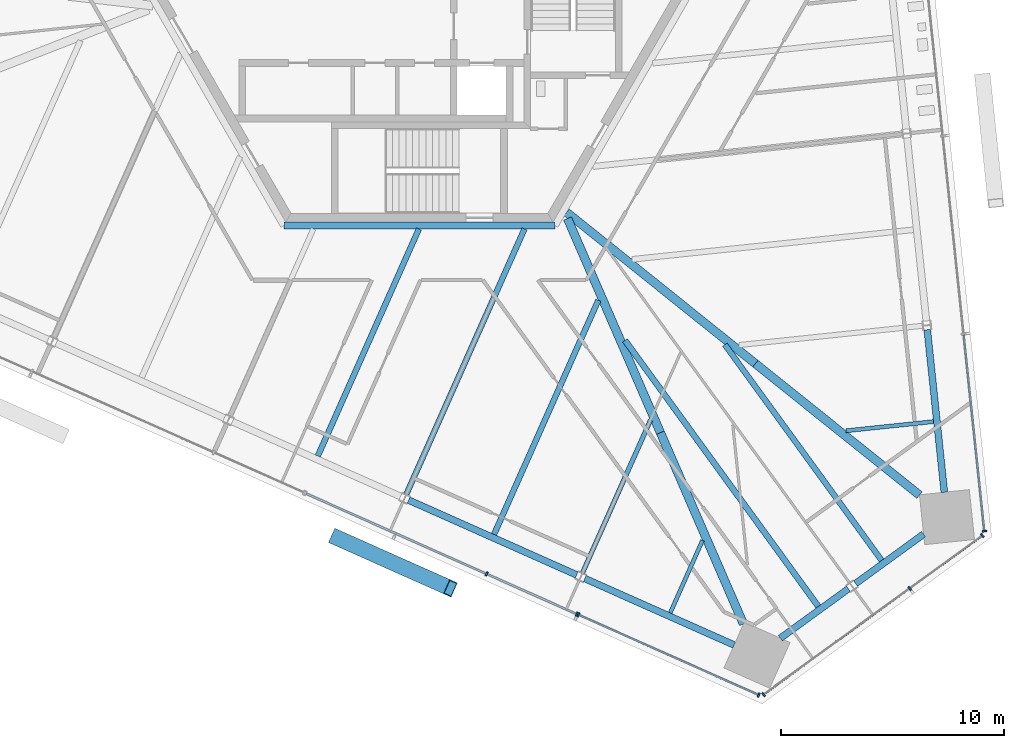
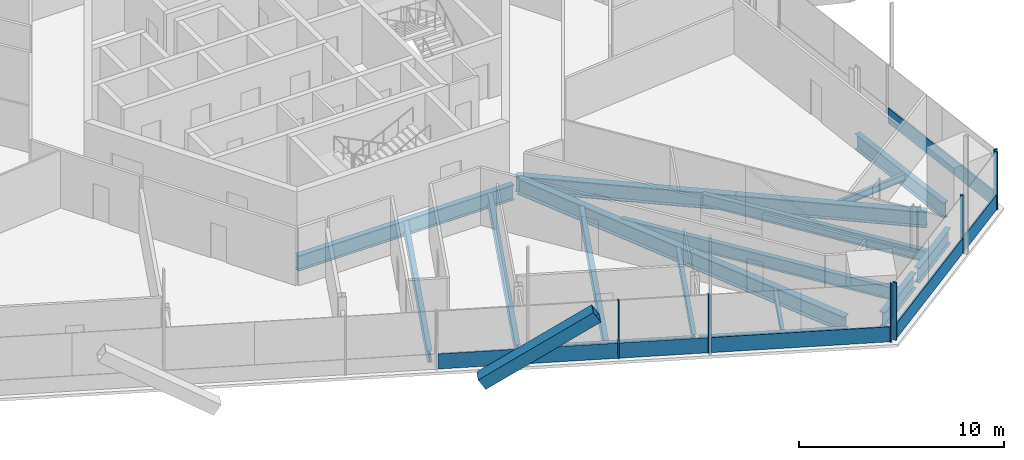
# One storey, part 4 of 21: 18 beams, 15 members, 4 elements without a shape of their own.
"""IFC4 building model written with IfcOpenShell, lengths in metres."""

from ifc_helpers import new_model, si_unit, direction, frame, origin, origin_2d, place, context, subcontext, project, spatial, rectangle, hollow_rectangle, i_section, extrude, source, transform, mapped, material, material_profile, profile_set, type_object, element, aggregate, save


model = new_model("IFC4")

# Units and contexts
model_context = context("Model", 3, precision=1e-05, world=origin(), true_north=direction((0.0, 1.0)))
body_context = subcontext(model_context, "Body", "Model", "MODEL_VIEW")
ifc_project = project(units=[si_unit("LENGTHUNIT", "METRE"), si_unit("AREAUNIT", "SQUARE_METRE"), si_unit("VOLUMEUNIT", "CUBIC_METRE"), si_unit("PLANEANGLEUNIT", "RADIAN"), si_unit("MASSUNIT", "GRAM", prefix="KILO")], contexts=[model_context])

# Site, building, storey
site_placement = place(None, origin())
site = spatial("IfcSite", under=ifc_project, at=site_placement, CompositionType="ELEMENT")
building_placement = place(site_placement, origin())
building = spatial("IfcBuilding", under=site, at=building_placement, Name="Triune Harvest Tower", CompositionType="ELEMENT")
storey_placement = place(building_placement, frame((0.0, 0.0, 80.10009765625)))
storey = spatial("IfcBuildingStorey", under=building, at=storey_placement, Name="L19", CompositionType="ELEMENT", Elevation=80.10009765625)

# Beams
ifc_material_1 = material(Name="Steel ASTM A992 Gr 50", Category="steel")
ifc_material_profile_1 = material_profile(ifc_material_1, i_section(OverallWidth=0.3046875, OverallDepth=0.914306640625, WebThickness=0.0166015625, FlangeThickness=0.02587890625, at=origin_2d()), Name="W36x160")
ifc_profile_set_1 = profile_set([ifc_material_profile_1], Name="Steel ASTM A992 Gr 50")
beam_type_1 = type_object("IfcBeamType", Name="CG-1 Core ring girder W36x160", PredefinedType="BEAM", material=ifc_profile_set_1)
shared_shape_1 = source(origin(), body_context, "Body", "SweptSolid", [
    extrude(i_section(OverallWidth=0.3046875, OverallDepth=0.914306640625, WebThickness=0.0166015625, FlangeThickness=0.02587890625, at=origin_2d()), origin(), (0.0, 0.0, 1.0), 12.17578125),
])
beam_1_placement = place(storey_placement, frame((-6.087890625, -10.544677734375, -0.6171875), z_axis=(1.0, 0.0, 0.0), x_axis=(0.0, 1.0, 0.0)))
element("IfcBeam", 1, at=beam_1_placement, inside=storey, type_object=beam_type_1, Name="beam/L19/CG5", PredefinedType="BEAM", context=body_context, shape_type="MappedRepresentation", body=[
    mapped(shared_shape_1, transform((0.0, 0.0, 0.0), scale=1.0)),
])
ifc_material_2 = material(Name="Steel ASTM A992 Gr 50", Category="steel")
ifc_material_profile_2 = material_profile(ifc_material_2, i_section(OverallWidth=0.383544921875, OverallDepth=0.9423828125, WebThickness=0.022216796875, FlangeThickness=0.039794921875, at=origin_2d()), Name="W36x232")
ifc_profile_set_2 = profile_set([ifc_material_profile_2], Name="Steel ASTM A992 Gr 50")
beam_type_2 = type_object("IfcBeamType", Name="HG-1 Hip girder W36x232", PredefinedType="BEAM", material=ifc_profile_set_2)
shared_shape_2 = source(origin(), body_context, "Body", "SweptSolid", [
    extrude(i_section(OverallWidth=0.383544921875, OverallDepth=0.9423828125, WebThickness=0.022216796875, FlangeThickness=0.039794921875, at=origin_2d()), origin(), (0.0, 0.0, 1.0), 10.8701171875),
])
beam_2_placement = place(storey_placement, frame((15.0908203125, -16.745849609375, -0.63134765625), z_axis=(-0.780344837212, 0.625349450337, 0.0), x_axis=(-0.625349450337, -0.780344837212, 0.0)))
element("IfcBeam", 2, at=beam_2_placement, inside=storey, type_object=beam_type_2, Name="beam/L19/HG2", PredefinedType="BEAM", context=body_context, shape_type="MappedRepresentation", body=[
    mapped(shared_shape_2, transform((0.0, 0.0, 0.0), scale=1.0)),
])
shared_shape_3 = source(origin(), body_context, "Body", "SweptSolid", [
    extrude(i_section(OverallWidth=0.383544921875, OverallDepth=0.9423828125, WebThickness=0.022216796875, FlangeThickness=0.039794921875, at=origin_2d()), origin(), (0.0, 0.0, 1.0), 10.48291015625),
])
beam_3_placement = place(storey_placement, frame((10.824462890625, -19.84521484375, -0.63134765625), z_axis=(-0.39806686292, 0.917356404374, 0.0), x_axis=(-0.917356404374, -0.39806686292, 0.0)))
element("IfcBeam", 3, at=beam_3_placement, inside=storey, type_object=beam_type_2, Name="beam/L19/HG8", PredefinedType="BEAM", context=body_context, shape_type="MappedRepresentation", body=[
    mapped(shared_shape_3, transform((0.0, 0.0, 0.0), scale=1.0)),
])
ifc_material_3 = material(Name="Steel ASTM A992 Gr 50", Category="steel")
ifc_material_profile_3 = material_profile(ifc_material_3, i_section(OverallWidth=0.3046875, OverallDepth=0.914306640625, WebThickness=0.0166015625, FlangeThickness=0.02587890625, at=origin_2d()), Name="W36x160")
ifc_profile_set_3 = profile_set([ifc_material_profile_3], Name="Steel ASTM A992 Gr 50")
beam_type_3 = type_object("IfcBeamType", Name="SB-1 Spandrel beam W36x160", PredefinedType="SPANDREL", material=ifc_profile_set_3)
shared_shape_4 = source(origin(), body_context, "Body", "SweptSolid", [
    extrude(i_section(OverallWidth=0.3046875, OverallDepth=0.914306640625, WebThickness=0.0166015625, FlangeThickness=0.02587890625, at=origin_2d()), origin(), (0.0, 0.0, 1.0), 7.337890625),
])
for number, where, z_axis, x_axis, name in (
    (4, (23.57568359375, -22.520751953125, -0.6171875), (-0.104539300002, 0.994520756322, 0.0), (-0.994520756322, -0.104539300002, 0.0), "beam/L19/SB1"),
    (5, (7.4296875, -26.396484375, -0.6171875), (0.913546560881, -0.406734165153, 0.0), (0.406734165153, 0.913546560881, 0.0), "beam/L19/SB22"),
):
    element("IfcBeam", number, at=place(storey_placement, frame(where, z_axis=z_axis, x_axis=x_axis)), inside=storey, type_object=beam_type_3, Name=name, PredefinedType="SPANDREL", context=body_context, shape_type="MappedRepresentation", body=[
        mapped(shared_shape_4, transform((0.0, 0.0, 0.0), scale=1.0)),
    ])
shared_shape_5 = source(origin(), body_context, "Body", "SweptSolid", [
    extrude(i_section(OverallWidth=0.3046875, OverallDepth=0.914306640625, WebThickness=0.0166015625, FlangeThickness=0.02587890625, at=origin_2d()), origin(), (0.0, 0.0, 1.0), 8.263427734375),
])
beam_4_placement = place(storey_placement, frame((-0.483642578125, -22.873291015625, -0.6171875), z_axis=(0.913544537455, -0.406738709846, 0.0), x_axis=(0.406738709846, 0.913544537455, 0.0)))
element("IfcBeam", 6, at=beam_4_placement, inside=storey, type_object=beam_type_3, Name="beam/L19/SB21", PredefinedType="SPANDREL", context=body_context, shape_type="MappedRepresentation", body=[
    mapped(shared_shape_5, transform((0.0, 0.0, 0.0), scale=1.0)),
])
shared_shape_6 = source(origin(), body_context, "Body", "SweptSolid", [
    extrude(i_section(OverallWidth=0.3046875, OverallDepth=0.914306640625, WebThickness=0.0166015625, FlangeThickness=0.02587890625, at=origin_2d()), origin(), (0.0, 0.0, 1.0), 3.77490234375),
])
for number, where, z_axis, x_axis, name in (
    (7, (16.2119140625, -29.0751953125, -0.6171875), (0.809026850732, 0.587771685942, 0.0), (-0.587771685942, 0.809026850732, 0.0), "beam/L19/SB23"),
    (8, (19.58837890625, -26.6220703125, -0.6171875), (0.809026850732, 0.587771685942, 0.0), (-0.587771685942, 0.809026850732, 0.0), "beam/L19/SB24"),
):
    element("IfcBeam", number, at=place(storey_placement, frame(where, z_axis=z_axis, x_axis=x_axis)), inside=storey, type_object=beam_type_3, Name=name, PredefinedType="SPANDREL", context=body_context, shape_type="MappedRepresentation", body=[
        mapped(shared_shape_6, transform((0.0, 0.0, 0.0), scale=1.0)),
    ])
shared_shape_7 = source(origin(), body_context, "Body", "SweptSolid", [
    extrude(i_section(OverallWidth=0.383544921875, OverallDepth=0.9423828125, WebThickness=0.022216796875, FlangeThickness=0.039794921875, at=origin_2d()), origin(), (0.0, 0.0, 1.0), 9.44091796875),
])
beam_5_placement = place(storey_placement, frame((22.4580078125, -22.649658203125, -0.63134765625), z_axis=(-0.780348817967, 0.625344482903, 0.0), x_axis=(-0.625344482903, -0.780348817967, 0.0)))
element("IfcBeam", 9, at=beam_5_placement, inside=storey, type_object=beam_type_2, Name="beam/L19/HG1", PredefinedType="BEAM", context=body_context, shape_type="MappedRepresentation", body=[
    mapped(shared_shape_7, transform((0.0, 0.0, 0.0), scale=1.0)),
])
shared_shape_8 = source(origin(), body_context, "Body", "SweptSolid", [
    extrude(i_section(OverallWidth=0.383544921875, OverallDepth=0.9423828125, WebThickness=0.022216796875, FlangeThickness=0.039794921875, at=origin_2d()), origin(), (0.0, 0.0, 1.0), 9.366943359375),
])
beam_6_placement = place(storey_placement, frame((14.552978515625, -28.43798828125, -0.63134765625), z_axis=(-0.398055044024, 0.917361532836, 0.0), x_axis=(-0.917361532836, -0.398055044024, 0.0)))
element("IfcBeam", 10, at=beam_6_placement, inside=storey, type_object=beam_type_2, Name="beam/L19/HG7", PredefinedType="BEAM", context=body_context, shape_type="MappedRepresentation", body=[
    mapped(shared_shape_8, transform((0.0, 0.0, 0.0), scale=1.0)),
])
ifc_material_4 = material(Name="Steel ASTM A992 Gr 50", Category="steel")
ifc_material_profile_4 = material_profile(ifc_material_4, i_section(OverallWidth=0.180908203125, OverallDepth=0.41650390625, WebThickness=0.010986328125, FlangeThickness=0.01806640625, at=origin_2d()), Name="W16x57")
ifc_profile_set_4 = profile_set([ifc_material_profile_4], Name="Steel ASTM A992 Gr 50")
beam_type_4 = type_object("IfcBeamType", Name="JT-1 Floor joist W16x57", PredefinedType="JOIST", material=ifc_profile_set_4)
shared_shape_9 = source(origin(), body_context, "Body", "SweptSolid", [
    extrude(i_section(OverallWidth=0.180908203125, OverallDepth=0.41650390625, WebThickness=0.010986328125, FlangeThickness=0.01806640625, at=origin_2d()), origin(), (0.0, 0.0, 1.0), 3.95068359375),
])
beam_7_placement = place(storey_placement, frame((23.089111328125, -19.34814453125, -0.368408203125), z_axis=(-0.994524737495, -0.104501418698, 0.0), x_axis=(0.104501418698, -0.994524737495, 0.0)))
element("IfcBeam", 11, at=beam_7_placement, inside=storey, type_object=beam_type_4, Name="beam/L19/JT1", PredefinedType="JOIST", context=body_context, shape_type="MappedRepresentation", body=[
    mapped(shared_shape_9, transform((0.0, 0.0, 0.0), scale=1.0)),
])
ifc_material_5 = material(Name="Steel ASTM A992 Gr 50", Category="steel")
ifc_material_profile_5 = material_profile(ifc_material_5, i_section(OverallWidth=0.253662109375, OverallDepth=0.683349609375, WebThickness=0.012451171875, FlangeThickness=0.01904296875, at=origin_2d()), Name="W27x94")
ifc_profile_set_5 = profile_set([ifc_material_profile_5], Name="Steel ASTM A992 Gr 50")
beam_type_5 = type_object("IfcBeamType", Name="JT-4 Floor joist W27x94", PredefinedType="JOIST", material=ifc_profile_set_5)
shared_shape_10 = source(origin(), body_context, "Body", "SweptSolid", [
    extrude(i_section(OverallWidth=0.253662109375, OverallDepth=0.683349609375, WebThickness=0.012451171875, FlangeThickness=0.01904296875, at=origin_2d()), origin(), (0.0, 0.0, 1.0), 11.51123046875),
])
beam_8_placement = place(storey_placement, frame((3.352783203125, -24.414794921875, -0.501708984375), z_axis=(0.406740530162, 0.91354372699, 0.0), x_axis=(-0.91354372699, 0.406740530162, 0.0)))
element("IfcBeam", 12, at=beam_8_placement, inside=storey, type_object=beam_type_5, Name="beam/L19/JT35", PredefinedType="JOIST", context=body_context, shape_type="MappedRepresentation", body=[
    mapped(shared_shape_10, transform((0.0, 0.0, 0.0), scale=1.0)),
])
shared_shape_11 = source(origin(), body_context, "Body", "SweptSolid", [
    extrude(i_section(OverallWidth=0.180908203125, OverallDepth=0.41650390625, WebThickness=0.010986328125, FlangeThickness=0.01806640625, at=origin_2d()), origin(), (0.0, 0.0, 1.0), 3.562255859375),
])
beam_9_placement = place(storey_placement, frame((11.26611328125, -27.93798828125, -0.368408203125), z_axis=(0.406767922158, 0.913531530656, 0.0), x_axis=(-0.913531530656, 0.406767922158, 0.0)))
element("IfcBeam", 13, at=beam_9_placement, inside=storey, type_object=beam_type_4, Name="beam/L19/JT37", PredefinedType="JOIST", context=body_context, shape_type="MappedRepresentation", body=[
    mapped(shared_shape_11, transform((0.0, 0.0, 0.0), scale=1.0)),
])
ifc_material_6 = material(Name="Steel ASTM A992 Gr 50", Category="steel")
ifc_material_profile_6 = material_profile(ifc_material_6, i_section(OverallWidth=0.2666015625, OverallDepth=0.7568359375, WebThickness=0.013916015625, FlangeThickness=0.019287109375, at=origin_2d()), Name="W30x108")
ifc_profile_set_6 = profile_set([ifc_material_profile_6], Name="Steel ASTM A992 Gr 50")
beam_type_6 = type_object("IfcBeamType", Name="JT-5 Floor joist W30x108", PredefinedType="JOIST", material=ifc_profile_set_6)
shared_shape_12 = source(origin(), body_context, "Body", "SweptSolid", [
    extrude(i_section(OverallWidth=0.2666015625, OverallDepth=0.7568359375, WebThickness=0.013916015625, FlangeThickness=0.019287109375, at=origin_2d()), origin(), (0.0, 0.0, 1.0), 14.766357421875),
])
beam_10_placement = place(storey_placement, frame((17.915283203125, -27.649169921875, -0.53857421875), z_axis=(-0.587783315485, 0.809018401544, 0.0), x_axis=(-0.809018401544, -0.587783315485, 0.0)))
element("IfcBeam", 14, at=beam_10_placement, inside=storey, type_object=beam_type_6, Name="beam/L19/JT38", PredefinedType="JOIST", context=body_context, shape_type="MappedRepresentation", body=[
    mapped(shared_shape_12, transform((0.0, 0.0, 0.0), scale=1.0)),
])
ifc_material_7 = material(Name="Steel ASTM A992 Gr 50", Category="steel")
ifc_material_profile_7 = material_profile(ifc_material_7, i_section(OverallWidth=0.2099609375, OverallDepth=0.535888671875, WebThickness=0.010986328125, FlangeThickness=0.017333984375, at=origin_2d()), Name="W21x68")
ifc_profile_set_7 = profile_set([ifc_material_profile_7], Name="Steel ASTM A992 Gr 50")
beam_type_7 = type_object("IfcBeamType", Name="JT-2 Floor joist W21x68", PredefinedType="JOIST", material=ifc_profile_set_7)
shared_shape_13 = source(origin(), body_context, "Body", "SweptSolid", [
    extrude(i_section(OverallWidth=0.2099609375, OverallDepth=0.535888671875, WebThickness=0.010986328125, FlangeThickness=0.017333984375, at=origin_2d()), origin(), (0.0, 0.0, 1.0), 7.4921875),
])
beam_11_placement = place(storey_placement, frame((7.32763671875, -26.1357421875, -0.427978515625), z_axis=(0.406737018568, 0.913545290463, 0.0), x_axis=(-0.913545290463, 0.406737018568, 0.0)))
element("IfcBeam", 15, at=beam_11_placement, inside=storey, type_object=beam_type_7, Name="beam/L19/JT36", PredefinedType="JOIST", context=body_context, shape_type="MappedRepresentation", body=[
    mapped(shared_shape_13, transform((0.0, 0.0, 0.0), scale=1.0)),
])
shared_shape_14 = source(origin(), body_context, "Body", "SweptSolid", [
    extrude(i_section(OverallWidth=0.253662109375, OverallDepth=0.683349609375, WebThickness=0.012451171875, FlangeThickness=0.01904296875, at=origin_2d()), origin(), (0.0, 0.0, 1.0), 11.159423828125),
])
beam_12_placement = place(storey_placement, frame((-4.560546875, -20.8916015625, -0.501708984375), z_axis=(0.406747338499, 0.913540695659, 0.0), x_axis=(-0.913540695659, 0.406747338499, 0.0)))
element("IfcBeam", 16, at=beam_12_placement, inside=storey, type_object=beam_type_5, Name="beam/L19/JT33", PredefinedType="JOIST", context=body_context, shape_type="MappedRepresentation", body=[
    mapped(shared_shape_14, transform((0.0, 0.0, 0.0), scale=1.0)),
])
shared_shape_15 = source(origin(), body_context, "Body", "SweptSolid", [
    extrude(i_section(OverallWidth=0.253662109375, OverallDepth=0.683349609375, WebThickness=0.012451171875, FlangeThickness=0.01904296875, at=origin_2d()), origin(), (0.0, 0.0, 1.0), 13.043212890625),
])
beam_13_placement = place(storey_placement, frame((-0.585693359375, -22.612548828125, -0.501708984375), z_axis=(0.40673927971, 0.913544283733, 0.0), x_axis=(-0.913544283733, 0.40673927971, 0.0)))
element("IfcBeam", 17, at=beam_13_placement, inside=storey, type_object=beam_type_5, Name="beam/L19/JT34", PredefinedType="JOIST", context=body_context, shape_type="MappedRepresentation", body=[
    mapped(shared_shape_15, transform((0.0, 0.0, 0.0), scale=1.0)),
])
shared_shape_16 = source(origin(), body_context, "Body", "SweptSolid", [
    extrude(i_section(OverallWidth=0.253662109375, OverallDepth=0.683349609375, WebThickness=0.012451171875, FlangeThickness=0.01904296875, at=origin_2d()), origin(), (0.0, 0.0, 1.0), 11.97802734375),
])
beam_14_placement = place(storey_placement, frame((20.759521484375, -25.582763671875, -0.501708984375), z_axis=(-0.587786239195, 0.809016277347, 0.0), x_axis=(-0.809016277347, -0.587786239195, 0.0)))
element("IfcBeam", 18, at=beam_14_placement, inside=storey, type_object=beam_type_5, Name="beam/L19/JT39", PredefinedType="JOIST", context=body_context, shape_type="MappedRepresentation", body=[
    mapped(shared_shape_16, transform((0.0, 0.0, 0.0), scale=1.0)),
])

# Member
ifc_material_8 = material(Name="Steel ASTM A572 Gr 50", Category="steel")
ifc_material_profile_8 = material_profile(ifc_material_8, hollow_rectangle(XDim=0.699951171875, YDim=0.699951171875, WallThickness=0.0400390625, at=origin_2d()), Name="Box 700x700x40")
ifc_profile_set_8 = profile_set([ifc_material_profile_8], Name="Steel ASTM A572 Gr 50")
member_type_1 = type_object("IfcMemberType", Name="BR-1 Brace Box 700x700x40", PredefinedType="BRACE", material=ifc_profile_set_8)
shared_shape_17 = source(origin(), body_context, "Body", "SweptSolid", [
    extrude(hollow_rectangle(XDim=0.699951171875, YDim=0.699951171875, WallThickness=0.0400390625, at=origin_2d()), origin(), (0.0, 0.0, 1.0), 6.7021484375),
])
member_1_placement = place(storey_placement, frame((-3.769775390625, -24.535888671875, 0.0), z_axis=(0.770584874927, -0.343073099747, 0.537121772752), x_axis=(0.406723393916, 0.913551356434, 0.0)))
element("IfcMember", 19, at=member_1_placement, inside=storey, type_object=member_type_1, Name="brace/B2-F5/d1/7", PredefinedType="BRACE", context=body_context, shape_type="MappedRepresentation", body=[
    mapped(shared_shape_17, transform((0.0, 0.0, 0.0), scale=1.0)),
])

# Curtain wall, member
ifc_material_9 = material(Name="Aluminium bronze anodised", Category="aluminium")
curtain_wall_type_1 = type_object("IfcCurtainWallType", Name="CW-1 Tower stick curtain wall", PredefinedType="NOTDEFINED", material=ifc_material_9)
curtain_wall_1_placement = place(storey_placement, origin())
curtain_wall_1 = element("IfcCurtainWall", 20, at=curtain_wall_1_placement, inside=storey, type_object=curtain_wall_type_1, Name="CW-1 B2-F1 L19 run 1")
ifc_material_10 = material(Name="Aluminium bronze anodised", Category="aluminium")
ifc_material_profile_9 = material_profile(ifc_material_10, rectangle(XDim=0.199951171875, YDim=0.074951171875, at=origin_2d()), Name="MU-1 mullion 75 x 200")
ifc_profile_set_9 = profile_set([ifc_material_profile_9], Name="Aluminium bronze anodised")
member_type_2 = type_object("IfcMemberType", Name="MU-1 mullion 75 x 200", PredefinedType="MULLION", material=ifc_profile_set_9)
shared_shape_18 = source(origin(), body_context, "Body", "SweptSolid", [
    extrude(rectangle(XDim=0.199951171875, YDim=0.074951171875, at=origin_2d()), origin(), (0.0, 0.0, 1.0), 3.43994140625),
])
member_2_placement = place(storey_placement, frame((25.373291015625, -24.2666015625, 0.0), z_axis=(0.0, 0.0, 1.0), x_axis=(-0.994521974487, -0.1045277105, 0.0)))
member_2 = element("IfcMember", 21, at=member_2_placement, type_object=member_type_2, Name="CW-1 mullion B2-F1 1.1", PredefinedType="MULLION", context=body_context, shape_type="MappedRepresentation", body=[
    mapped(shared_shape_18, transform((0.0, 0.0, 0.0), scale=1.0)),
])

# Curtain wall, members
ifc_material_11 = material(Name="Aluminium bronze anodised", Category="aluminium")
curtain_wall_type_2 = type_object("IfcCurtainWallType", Name="CW-7 Tower stick curtain wall with insulated spandrel infill", PredefinedType="NOTDEFINED", material=ifc_material_11)
curtain_wall_2_placement = place(storey_placement, origin())
curtain_wall_2 = element("IfcCurtainWall", 22, at=curtain_wall_2_placement, inside=storey, type_object=curtain_wall_type_2, Name="CW-7 B2-F5 L19 run 1001")
member_3_placement = place(storey_placement, frame((3.020263671875, -26.1904296875, 0.0), z_axis=(0.0, 0.0, 1.0), x_axis=(0.406740943046, 0.91354354316, 0.0)))
member_3 = element("IfcMember", 23, at=member_3_placement, type_object=member_type_2, Name="CW-7 mullion B2-F5 1001.3", PredefinedType="MULLION", context=body_context, shape_type="MappedRepresentation", body=[
    mapped(shared_shape_18, transform((0.0, 0.0, 0.0), scale=1.0)),
])
member_4_placement = place(storey_placement, frame((7.070068359375, -27.99365234375, 0.0), z_axis=(0.0, 0.0, 1.0), x_axis=(0.406740943046, 0.91354354316, 0.0)))
member_4 = element("IfcMember", 24, at=member_4_placement, type_object=member_type_2, Name="CW-7 mullion B2-F5 1001.4", PredefinedType="MULLION", context=body_context, shape_type="MappedRepresentation", body=[
    mapped(shared_shape_18, transform((0.0, 0.0, 0.0), scale=1.0)),
])

curtain_wall_3_placement = place(storey_placement, origin())
curtain_wall_3 = element("IfcCurtainWall", 25, at=curtain_wall_3_placement, inside=storey, type_object=curtain_wall_type_1, Name="CW-1 B2-F5 L19 run 2001")
member_5_placement = place(storey_placement, frame((7.138671875, -28.024169921875, 0.0), z_axis=(0.0, 0.0, 1.0), x_axis=(0.406735261097, 0.913546072938, 0.0)))
member_5 = element("IfcMember", 26, at=member_5_placement, type_object=member_type_2, Name="CW-1 mullion B2-F5 2001.1", PredefinedType="MULLION", context=body_context, shape_type="MappedRepresentation", body=[
    mapped(shared_shape_18, transform((0.0, 0.0, 0.0), scale=1.0)),
])
member_6_placement = place(storey_placement, frame((15.23828125, -31.63037109375, 0.0), z_axis=(0.0, 0.0, 1.0), x_axis=(0.406735261097, 0.913546072938, 0.0)))
member_6 = element("IfcMember", 27, at=member_6_placement, type_object=member_type_2, Name="CW-1 mullion B2-F5 2001.3", PredefinedType="MULLION", context=body_context, shape_type="MappedRepresentation", body=[
    mapped(shared_shape_18, transform((0.0, 0.0, 0.0), scale=1.0)),
])

curtain_wall_4_placement = place(storey_placement, origin())
curtain_wall_4 = element("IfcCurtainWall", 28, at=curtain_wall_4_placement, inside=storey, type_object=curtain_wall_type_1, Name="CW-1 B2-F6 L19 run 1")
member_7_placement = place(storey_placement, frame((15.457763671875, -31.607177734375, 0.0), z_axis=(0.0, 0.0, 1.0), x_axis=(-0.58779042564, 0.809013235692, 0.0)))
member_7 = element("IfcMember", 29, at=member_7_placement, type_object=member_type_2, Name="CW-1 mullion B2-F6 1.1", PredefinedType="MULLION", context=body_context, shape_type="MappedRepresentation", body=[
    mapped(shared_shape_18, transform((0.0, 0.0, 0.0), scale=1.0)),
])
member_8_placement = place(storey_placement, frame((22.018310546875, -26.8408203125, 0.0), z_axis=(0.0, 0.0, 1.0), x_axis=(-0.58779042564, 0.809013235692, 0.0)))
member_8 = element("IfcMember", 30, at=member_8_placement, type_object=member_type_2, Name="CW-1 mullion B2-F6 1.3", PredefinedType="MULLION", context=body_context, shape_type="MappedRepresentation", body=[
    mapped(shared_shape_18, transform((0.0, 0.0, 0.0), scale=1.0)),
])
member_9_placement = place(storey_placement, frame((25.283447265625, -24.468505859375, 0.0), z_axis=(0.0, 0.0, 1.0), x_axis=(-0.58779042564, 0.809013235692, 0.0)))
member_9 = element("IfcMember", 31, at=member_9_placement, type_object=member_type_2, Name="CW-1 mullion B2-F6 1.4", PredefinedType="MULLION", context=body_context, shape_type="MappedRepresentation", body=[
    mapped(shared_shape_18, transform((0.0, 0.0, 0.0), scale=1.0)),
])
ifc_material_12 = material(Name="Aluminium bronze anodised", Category="aluminium")
ifc_material_profile_10 = material_profile(ifc_material_12, rectangle(XDim=0.090087890625, YDim=0.89990234375, at=origin_2d()), Name="TR-1 transom 90 x 900")
ifc_profile_set_10 = profile_set([ifc_material_profile_10], Name="Aluminium bronze anodised")
member_type_3 = type_object("IfcMemberType", Name="TR-1 transom 90 x 900", PredefinedType="USERDEFINED", material=ifc_profile_set_10)
shared_shape_19 = source(origin(), body_context, "Body", "SweptSolid", [
    extrude(rectangle(XDim=0.090087890625, YDim=0.89990234375, at=origin_2d()), origin(), (0.0, 0.0, 1.0), 8.0341796875),
])
member_10_placement = place(storey_placement, frame((15.48828125, -31.585205078125, 0.449951171875), z_axis=(0.809013262196, 0.587790389162, 0.0), x_axis=(-0.587790389162, 0.809013262196, 0.0)))
member_10 = element("IfcMember", 32, at=member_10_placement, type_object=member_type_3, Name="CW-1 transom B2-F6 1.1", ObjectType="TRANSOM", PredefinedType="USERDEFINED", context=body_context, shape_type="MappedRepresentation", body=[
    mapped(shared_shape_19, transform((0.0, 0.0, 0.0), scale=1.0)),
])
shared_shape_20 = source(origin(), body_context, "Body", "SweptSolid", [
    extrude(rectangle(XDim=0.090087890625, YDim=0.89990234375, at=origin_2d()), origin(), (0.0, 0.0, 1.0), 3.9609375),
])
member_11_placement = place(storey_placement, frame((22.048583984375, -26.818603515625, 0.449951171875), z_axis=(0.809034498415, 0.587761159294, 0.0), x_axis=(-0.587761159294, 0.809034498415, 0.0)))
member_11 = element("IfcMember", 33, at=member_11_placement, type_object=member_type_3, Name="CW-1 transom B2-F6 1.2", ObjectType="TRANSOM", PredefinedType="USERDEFINED", context=body_context, shape_type="MappedRepresentation", body=[
    mapped(shared_shape_20, transform((0.0, 0.0, 0.0), scale=1.0)),
])
aggregate(curtain_wall_4, [member_7, member_8, member_9, member_10, member_11])

# Member
shared_shape_21 = source(origin(), body_context, "Body", "SweptSolid", [
    extrude(rectangle(XDim=0.090087890625, YDim=0.89990234375, at=origin_2d()), origin(), (0.0, 0.0, 1.0), 8.82861328125),
])
member_12_placement = place(storey_placement, frame((25.369384765625, -24.2294921875, 0.449951171875), z_axis=(-0.10452931889, 0.994521805438, 0.0), x_axis=(-0.994521805438, -0.10452931889, 0.0)))
member_12 = element("IfcMember", 34, at=member_12_placement, type_object=member_type_3, Name="CW-1 transom B2-F1 1.1", ObjectType="TRANSOM", PredefinedType="USERDEFINED", context=body_context, shape_type="MappedRepresentation", body=[
    mapped(shared_shape_21, transform((0.0, 0.0, 0.0), scale=1.0)),
])

aggregate(curtain_wall_1, [member_2, member_12])

shared_shape_22 = source(origin(), body_context, "Body", "SweptSolid", [
    extrude(rectangle(XDim=0.090087890625, YDim=0.89990234375, at=origin_2d()), origin(), (0.0, 0.0, 1.0), 8.828857421875),
])
member_13_placement = place(storey_placement, frame((-5.079345703125, -22.584228515625, 0.449951171875), z_axis=(0.913541089129, -0.406746454776, 0.0), x_axis=(0.406746454776, 0.913541089129, 0.0)))
member_13 = element("IfcMember", 35, at=member_13_placement, type_object=member_type_3, Name="CW-7 transom B2-F5 1001.1", ObjectType="TRANSOM", PredefinedType="USERDEFINED", context=body_context, shape_type="MappedRepresentation", body=[
    mapped(shared_shape_22, transform((0.0, 0.0, 0.0), scale=1.0)),
])

shared_shape_23 = source(origin(), body_context, "Body", "SweptSolid", [
    extrude(rectangle(XDim=0.090087890625, YDim=0.89990234375, at=origin_2d()), origin(), (0.0, 0.0, 1.0), 4.358154296875),
])
member_14_placement = place(storey_placement, frame((3.054443359375, -26.205810546875, 0.449951171875), z_axis=(0.913541074007, -0.40674648874, 0.0), x_axis=(0.40674648874, 0.913541074007, 0.0)))
member_14 = element("IfcMember", 36, at=member_14_placement, type_object=member_type_3, Name="CW-7 transom B2-F5 1001.2", ObjectType="TRANSOM", PredefinedType="USERDEFINED", context=body_context, shape_type="MappedRepresentation", body=[
    mapped(shared_shape_23, transform((0.0, 0.0, 0.0), scale=1.0)),
])

aggregate(curtain_wall_2, [member_3, member_4, member_13, member_14])

shared_shape_24 = source(origin(), body_context, "Body", "SweptSolid", [
    extrude(rectangle(XDim=0.090087890625, YDim=0.89990234375, at=origin_2d()), origin(), (0.0, 0.0, 1.0), 8.791015625),
])
member_15_placement = place(storey_placement, frame((7.1728515625, -28.039306640625, 0.449951171875), z_axis=(0.913543369074, -0.406741334046, 0.0), x_axis=(0.406741334046, 0.913543369074, 0.0)))
member_15 = element("IfcMember", 37, at=member_15_placement, type_object=member_type_3, Name="CW-1 transom B2-F5 2001.1", ObjectType="TRANSOM", PredefinedType="USERDEFINED", context=body_context, shape_type="MappedRepresentation", body=[
    mapped(shared_shape_24, transform((0.0, 0.0, 0.0), scale=1.0)),
])

aggregate(curtain_wall_3, [member_5, member_6, member_15])

save(model, "model.ifc")
